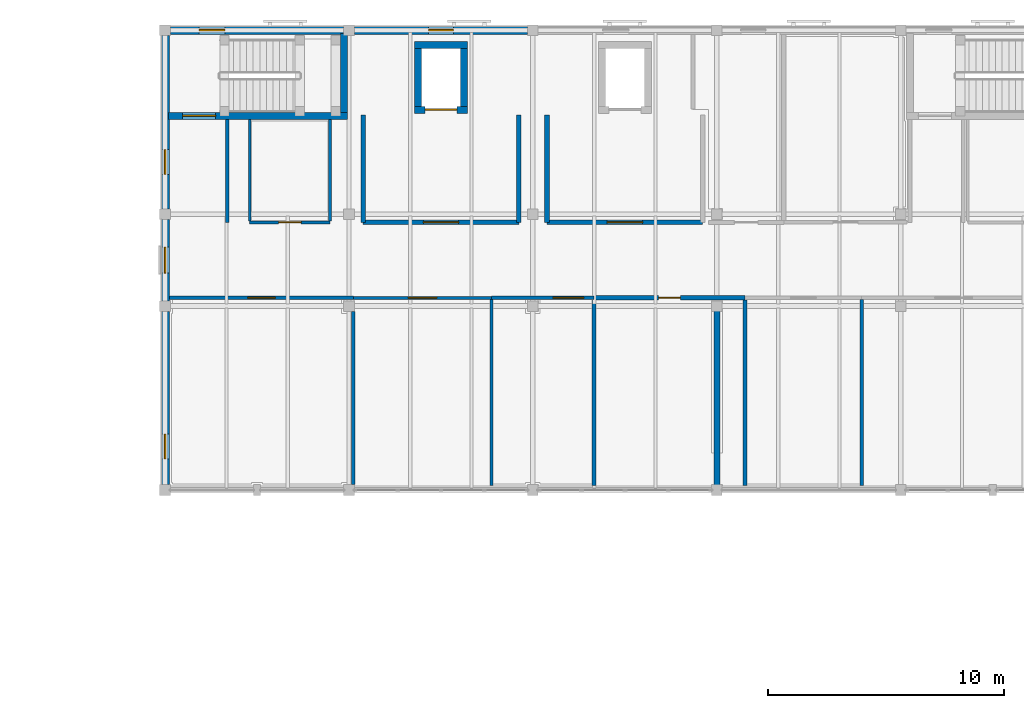
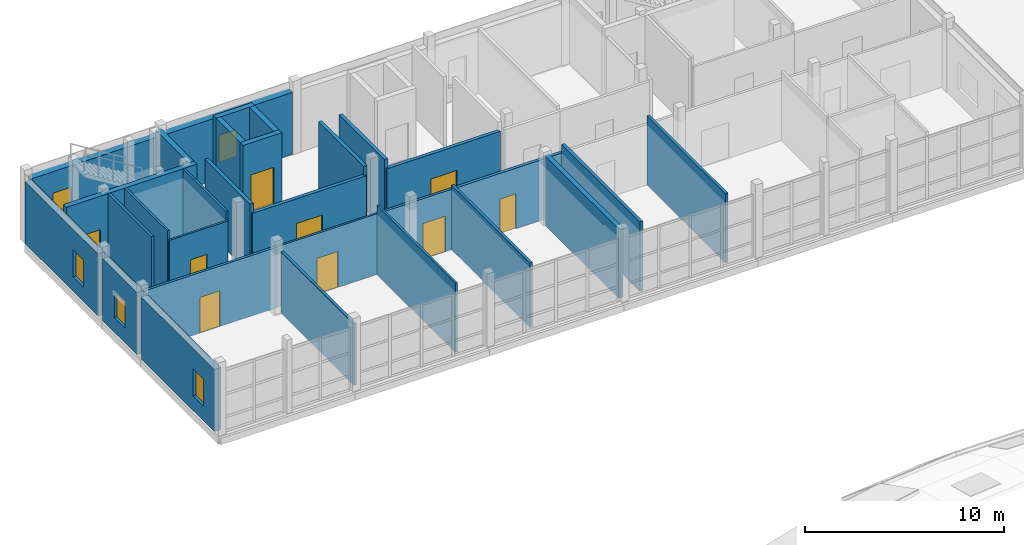
# One storey, part 37 of 45: 30 walls, 9 doors, 5 windows, 14 openings.
"""IFC4 building model written with IfcOpenShell, lengths in metres."""

from ifc_helpers import new_model, si_unit, direction, frame, frame_2d, origin, place, context, subcontext, project, spatial, rectangle, extrude, material, layer, layer_set, type_object, element, fill, save


model = new_model("IFC4")

# Units and contexts
model_context = context("Model", 3, precision=1e-05, world=origin(), true_north=direction((0.0, 1.0)))
body_context = subcontext(model_context, "Body", "Model", "MODEL_VIEW")
ifc_project = project(units=[si_unit("LENGTHUNIT", "METRE"), si_unit("AREAUNIT", "SQUARE_METRE"), si_unit("VOLUMEUNIT", "CUBIC_METRE"), si_unit("PLANEANGLEUNIT", "RADIAN"), si_unit("MASSUNIT", "GRAM", prefix="KILO")], contexts=[model_context])

# Site, building, storey
site_placement = place(None, origin())
site = spatial("IfcSite", under=ifc_project, at=site_placement, CompositionType="ELEMENT")
building_placement = place(site_placement, origin())
building = spatial("IfcBuilding", under=site, at=building_placement, Name="Celorna Specialist Clinic", CompositionType="ELEMENT")
storey_placement = place(building_placement, frame((0.0, 0.0, 18.60009765625)))
storey = spatial("IfcBuildingStorey", under=building, at=storey_placement, Name="L04", CompositionType="ELEMENT", Elevation=18.60009765625)

# Wall, opening, window
ifc_material_1 = material(Name="Terracotta masonry with insulated cavity", Category="masonry")
ifc_layer_1 = layer(ifc_material_1, 0.3798828125, Name="Terracotta masonry with insulated cavity")
ifc_layer_set_1 = layer_set([ifc_layer_1], Name="Terracotta masonry with insulated cavity")
wall_type_1 = type_object("IfcWallType", Name="WT-06", PredefinedType="STANDARD", material=ifc_layer_set_1)
wall_1_placement = place(storey_placement, frame((47.02490234375, 116.0, 0.0), z_axis=(0.0, 0.0, 1.0), x_axis=(1.0, 0.0, 0.0)))
wall_1 = element("IfcWall", 1, at=wall_1_placement, inside=storey, type_object=wall_type_1, Name="External facade wall WT-06 #274", PredefinedType="STANDARD", context=body_context, shape_type="SweptSolid", body=[
    extrude(rectangle(XDim=7.35009765625, YDim=0.3798828125, at=frame_2d((3.675048828125, 0.0))), origin(), (0.0, 0.0, 1.0), 3.81982421875),
])
opening_1_placement = place(wall_1_placement, frame((1.215087890625, 0.0, 0.89990234375)))
opening_1 = element("IfcOpeningElement", 2, at=opening_1_placement, cuts=wall_1, Name="Opening WN-03", PredefinedType="OPENING", context=body_context, shape_type="SweptSolid", body=[
    extrude(rectangle(XDim=1.10009765625, YDim=1.60009765625, at=frame_2d((0.550048828125, 0.800048828125))), frame((0.0, 0.199951171875, 0.0), z_axis=(0.0, -1.0, 0.0), x_axis=(1.0, 0.0, 0.0)), (0.0, 0.0, 1.0), 0.39990234375),
])
ifc_material_2 = material(Name="Thermally broken aluminium triple-glazed window", Category="aluminium")
window_type_1 = type_object("IfcWindowType", Name="WN-03", PartitioningType="SINGLE_PANEL", PredefinedType="WINDOW", material=ifc_material_2)
window_1_placement = place(opening_1_placement, origin())
window_1 = element("IfcWindow", 3, at=window_1_placement, inside=storey, type_object=window_type_1, Name="Facade window WN-03 #153", OverallHeight=1.60009765625, OverallWidth=1.10009765625, PartitioningType="SINGLE_PANEL", PredefinedType="WINDOW", context=body_context, shape_type="SweptSolid", body=[
    extrude(rectangle(XDim=1.10009765625, YDim=1.60009765625, at=frame_2d((0.550048828125, 0.800048828125))), frame((0.0, 0.030029296875, 0.0), z_axis=(0.0, -1.0, 0.0), x_axis=(1.0, 0.0, 0.0)), (0.0, 0.0, 1.0), 0.06005859375),
])
fill(opening_1, window_1)

wall_2_placement = place(storey_placement, frame((54.824951171875, 116.0, 0.0), z_axis=(0.0, 0.0, 1.0), x_axis=(1.0, 0.0, 0.0)))
wall_2 = element("IfcWall", 4, at=wall_2_placement, inside=storey, type_object=wall_type_1, Name="External facade wall WT-06 #275", PredefinedType="STANDARD", context=body_context, shape_type="SweptSolid", body=[
    extrude(rectangle(XDim=7.35009765625, YDim=0.3798828125, at=frame_2d((3.675048828125, 0.0))), origin(), (0.0, 0.0, 1.0), 3.81982421875),
])
opening_2_placement = place(wall_2_placement, frame((3.14990234375, 0.0, 0.89990234375)))
opening_2 = element("IfcOpeningElement", 5, at=opening_2_placement, cuts=wall_2, Name="Opening WN-21", PredefinedType="OPENING", context=body_context, shape_type="SweptSolid", body=[
    extrude(rectangle(XDim=1.050048828125, YDim=1.64990234375, at=frame_2d((0.52490234375, 0.824951171875))), frame((0.0, 0.199951171875, 0.0), z_axis=(0.0, -1.0, 0.0), x_axis=(1.0, 0.0, 0.0)), (0.0, 0.0, 1.0), 0.39990234375),
])
window_type_2 = type_object("IfcWindowType", Name="WN-21", PartitioningType="SINGLE_PANEL", PredefinedType="WINDOW", material=ifc_material_2)
window_2_placement = place(opening_2_placement, origin())
window_2 = element("IfcWindow", 6, at=window_2_placement, inside=storey, type_object=window_type_2, Name="Facade window WN-21 #154", OverallHeight=1.64990234375, OverallWidth=1.050048828125, PartitioningType="SINGLE_PANEL", PredefinedType="WINDOW", context=body_context, shape_type="SweptSolid", body=[
    extrude(rectangle(XDim=1.050048828125, YDim=1.64990234375, at=frame_2d((0.52490234375, 0.824951171875))), frame((0.0, 0.030029296875, 0.0), z_axis=(0.0, -1.0, 0.0), x_axis=(1.0, 0.0, 0.0)), (0.0, 0.0, 1.0), 0.06005859375),
])
fill(opening_2, window_2)

wall_3_placement = place(storey_placement, frame((46.800048828125, 96.72509765625, 0.0), z_axis=(0.0, 0.0, 1.0), x_axis=(0.0, 1.0, 0.0)))
wall_3 = element("IfcWall", 7, at=wall_3_placement, inside=storey, type_object=wall_type_1, Name="External facade wall WT-06 #280", PredefinedType="STANDARD", context=body_context, shape_type="SweptSolid", body=[
    extrude(rectangle(XDim=7.349853515625, YDim=0.3798828125, at=frame_2d((3.6748046875, 0.0))), origin(), (0.0, 0.0, 1.0), 3.81982421875),
])
opening_3_placement = place(wall_3_placement, frame((1.097412109375, 0.0, 0.89990234375)))
opening_3 = element("IfcOpeningElement", 8, at=opening_3_placement, cuts=wall_3, Name="Opening WN-21", PredefinedType="OPENING", context=body_context, shape_type="SweptSolid", body=[
    extrude(rectangle(XDim=1.050048828125, YDim=1.64990234375, at=frame_2d((0.52490234375, 0.824951171875))), frame((0.0, 0.199951171875, 0.0), z_axis=(0.0, -1.0, 0.0), x_axis=(1.0, 0.0, 0.0)), (0.0, 0.0, 1.0), 0.39990234375),
])
window_3_placement = place(opening_3_placement, origin())
window_3 = element("IfcWindow", 9, at=window_3_placement, inside=storey, type_object=window_type_2, Name="Facade window WN-21 #159", OverallHeight=1.64990234375, OverallWidth=1.050048828125, PartitioningType="SINGLE_PANEL", PredefinedType="WINDOW", context=body_context, shape_type="SweptSolid", body=[
    extrude(rectangle(XDim=1.050048828125, YDim=1.64990234375, at=frame_2d((0.52490234375, 0.824951171875))), frame((0.0, 0.030029296875, 0.0), z_axis=(0.0, -1.0, 0.0), x_axis=(1.0, 0.0, 0.0)), (0.0, 0.0, 1.0), 0.06005859375),
])
fill(opening_3, window_3)

wall_4_placement = place(storey_placement, frame((46.800048828125, 104.52490234375, 0.0), z_axis=(0.0, 0.0, 1.0), x_axis=(0.0, 1.0, 0.0)))
wall_4 = element("IfcWall", 10, at=wall_4_placement, inside=storey, type_object=wall_type_1, Name="External facade wall WT-06 #281", PredefinedType="STANDARD", context=body_context, shape_type="SweptSolid", body=[
    extrude(rectangle(XDim=3.4501953125, YDim=0.3798828125, at=frame_2d((1.72509765625, 0.0))), origin(), (0.0, 0.0, 1.0), 3.81982421875),
])
opening_4_placement = place(wall_4_placement, frame((1.175048828125, 0.0, 0.89990234375)))
opening_4 = element("IfcOpeningElement", 11, at=opening_4_placement, cuts=wall_4, Name="Opening WN-03", PredefinedType="OPENING", context=body_context, shape_type="SweptSolid", body=[
    extrude(rectangle(XDim=1.10009765625, YDim=1.60009765625, at=frame_2d((0.550048828125, 0.800048828125))), frame((0.0, 0.199951171875, 0.0), z_axis=(0.0, -1.0, 0.0), x_axis=(1.0, 0.0, 0.0)), (0.0, 0.0, 1.0), 0.39990234375),
])
window_4_placement = place(opening_4_placement, origin())
window_4 = element("IfcWindow", 12, at=window_4_placement, inside=storey, type_object=window_type_1, Name="Facade window WN-03 #160", OverallHeight=1.60009765625, OverallWidth=1.10009765625, PartitioningType="SINGLE_PANEL", PredefinedType="WINDOW", context=body_context, shape_type="SweptSolid", body=[
    extrude(rectangle(XDim=1.10009765625, YDim=1.60009765625, at=frame_2d((0.550048828125, 0.800048828125))), frame((0.0, 0.030029296875, 0.0), z_axis=(0.0, -1.0, 0.0), x_axis=(1.0, 0.0, 0.0)), (0.0, 0.0, 1.0), 0.06005859375),
])
fill(opening_4, window_4)

wall_5_placement = place(storey_placement, frame((46.800048828125, 108.425048828125, 0.0), z_axis=(0.0, 0.0, 1.0), x_axis=(0.0, 1.0, 0.0)))
wall_5 = element("IfcWall", 13, at=wall_5_placement, inside=storey, type_object=wall_type_1, Name="External facade wall WT-06 #282", PredefinedType="STANDARD", context=body_context, shape_type="SweptSolid", body=[
    extrude(rectangle(XDim=7.349853515625, YDim=0.3798828125, at=frame_2d((3.6748046875, 0.0))), origin(), (0.0, 0.0, 1.0), 3.81982421875),
])
opening_5_placement = place(wall_5_placement, frame((1.45751953125, 0.0, 0.89990234375)))
opening_5 = element("IfcOpeningElement", 14, at=opening_5_placement, cuts=wall_5, Name="Opening WN-21", PredefinedType="OPENING", context=body_context, shape_type="SweptSolid", body=[
    extrude(rectangle(XDim=1.050048828125, YDim=1.64990234375, at=frame_2d((0.52490234375, 0.824951171875))), frame((0.0, 0.199951171875, 0.0), z_axis=(0.0, -1.0, 0.0), x_axis=(1.0, 0.0, 0.0)), (0.0, 0.0, 1.0), 0.39990234375),
])
window_5_placement = place(opening_5_placement, origin())
window_5 = element("IfcWindow", 15, at=window_5_placement, inside=storey, type_object=window_type_2, Name="Facade window WN-21 #161", OverallHeight=1.64990234375, OverallWidth=1.050048828125, PartitioningType="SINGLE_PANEL", PredefinedType="WINDOW", context=body_context, shape_type="SweptSolid", body=[
    extrude(rectangle(XDim=1.050048828125, YDim=1.64990234375, at=frame_2d((0.52490234375, 0.824951171875))), frame((0.0, 0.030029296875, 0.0), z_axis=(0.0, -1.0, 0.0), x_axis=(1.0, 0.0, 0.0)), (0.0, 0.0, 1.0), 0.06005859375),
])
fill(opening_5, window_5)

# Wall, opening, door
ifc_material_3 = material(Name="Concrete C35/45", Category="concrete")
ifc_layer_2 = layer(ifc_material_3, 0.300048828125, Name="Concrete C35/45")
ifc_layer_set_2 = layer_set([ifc_layer_2], Name="Concrete C35/45")
wall_type_2 = type_object("IfcWallType", Name="WT-08", PredefinedType="SHEAR", material=ifc_layer_set_2)
wall_6_placement = place(storey_placement, frame((46.949951171875, 112.3701171875, 0.0), z_axis=(0.0, 0.0, 1.0), x_axis=(1.0, 0.0, 0.0)))
wall_6 = element("IfcWall", 16, at=wall_6_placement, inside=storey, type_object=wall_type_2, Name="Stair ST-01 RC core wall L04 south", PredefinedType="SHEAR", context=body_context, shape_type="SweptSolid", body=[
    extrude(rectangle(XDim=7.590087890625, YDim=0.300048828125, at=frame_2d((3.794921875, 0.0))), origin(), (0.0, 0.0, 1.0), 4.260009765625),
])
opening_6_placement = place(wall_6_placement, frame((0.590087890625, 0.0, 0.0)))
opening_6 = element("IfcOpeningElement", 17, at=opening_6_placement, cuts=wall_6, Name="Opening DR-10", PredefinedType="OPENING", context=body_context, shape_type="SweptSolid", body=[
    extrude(rectangle(XDim=1.39990234375, YDim=2.199951171875, at=frame_2d((0.699951171875, 1.10009765625))), frame((0.0, 0.159912109375, 0.0), z_axis=(0.0, -1.0, 0.0), x_axis=(1.0, 0.0, 0.0)), (0.0, 0.0, 1.0), 0.320068359375),
])
ifc_material_4 = material(Name="Protected exit stair fire door")
door_type_1 = type_object("IfcDoorType", Name="DR-10", OperationType="NOTDEFINED", PredefinedType="DOOR", material=ifc_material_4)
door_1_placement = place(opening_6_placement, origin())
door_1 = element("IfcDoor", 18, at=door_1_placement, inside=storey, type_object=door_type_1, Name="Protected exit stair door ST-01 L04", OperationType="SINGLE_SWING_LEFT", OverallHeight=2.199951171875, OverallWidth=1.39990234375, PredefinedType="DOOR", context=body_context, shape_type="SweptSolid", body=[
    extrude(rectangle(XDim=1.39990234375, YDim=2.199951171875, at=frame_2d((0.699951171875, 1.10009765625))), frame((0.0, 0.02490234375, 0.0), z_axis=(0.0, -1.0, 0.0), x_axis=(1.0, 0.0, 0.0)), (0.0, 0.0, 1.0), 0.050048828125),
])
fill(opening_6, door_1)

# Wall
wall_7_placement = place(storey_placement, frame((54.389892578125, 112.52001953125, 0.0), z_axis=(0.0, 0.0, 1.0), x_axis=(0.0, 1.0, 0.0)))
element("IfcWall", 19, at=wall_7_placement, inside=storey, type_object=wall_type_2, Name="Stair ST-01 RC core wall L04 east", PredefinedType="SHEAR", context=body_context, shape_type="SweptSolid", body=[
    extrude(rectangle(XDim=3.330078125, YDim=0.300048828125, at=frame_2d((1.6650390625, 0.0))), origin(), (0.0, 0.0, 1.0), 4.260009765625),
])

# Wall, opening, door
wall_8_placement = place(storey_placement, frame((57.375, 112.625, 0.0), z_axis=(0.0, 0.0, 1.0), x_axis=(1.0, 0.0, 0.0)))
wall_8 = element("IfcWall", 20, at=wall_8_placement, inside=storey, type_object=wall_type_2, Name="Lift LF-01 RC shaft wall L04", PredefinedType="SHEAR", context=body_context, shape_type="SweptSolid", body=[
    extrude(rectangle(XDim=2.25, YDim=0.300048828125, at=frame_2d((1.125, 0.0))), origin(), (0.0, 0.0, 1.0), 4.260009765625),
])
opening_7_placement = place(wall_8_placement, frame((0.449951171875, 0.0, 0.0)))
opening_7 = element("IfcOpeningElement", 21, at=opening_7_placement, cuts=wall_8, Name="Opening LD-02", PredefinedType="OPENING", context=body_context, shape_type="SweptSolid", body=[
    extrude(rectangle(XDim=1.35009765625, YDim=2.300048828125, at=frame_2d((0.675048828125, 1.14990234375))), frame((0.0, 0.159912109375, 0.0), z_axis=(0.0, -1.0, 0.0), x_axis=(1.0, 0.0, 0.0)), (0.0, 0.0, 1.0), 0.320068359375),
])
ifc_material_5 = material(Name="Firefighting stretcher lift landing sliding door")
door_type_2 = type_object("IfcDoorType", Name="LD-02", OperationType="DOUBLE_DOOR_SLIDING", PredefinedType="DOOR", material=ifc_material_5)
door_2_placement = place(opening_7_placement, origin())
door_2 = element("IfcDoor", 22, at=door_2_placement, inside=storey, type_object=door_type_2, Name="Lift LF-01 sliding landing door L04", OperationType="DOUBLE_DOOR_SLIDING", OverallHeight=2.300048828125, OverallWidth=1.35009765625, PredefinedType="DOOR", context=body_context, shape_type="SweptSolid", body=[
    extrude(rectangle(XDim=1.35009765625, YDim=2.300048828125, at=frame_2d((0.675048828125, 1.14990234375))), frame((0.0, 0.02490234375, 0.0), z_axis=(0.0, -1.0, 0.0), x_axis=(1.0, 0.0, 0.0)), (0.0, 0.0, 1.0), 0.050048828125),
])
fill(opening_7, door_2)

# Walls
wall_9_placement = place(storey_placement, frame((59.625, 115.375, 0.0), z_axis=(0.0, 0.0, 1.0), x_axis=(-1.0, 0.0, 0.0)))
element("IfcWall", 23, at=wall_9_placement, inside=storey, type_object=wall_type_2, Name="Lift LF-01 RC shaft wall L04", PredefinedType="SHEAR", context=body_context, shape_type="SweptSolid", body=[
    extrude(rectangle(XDim=2.25, YDim=0.300048828125, at=frame_2d((1.125, 0.0))), origin(), (0.0, 0.0, 1.0), 4.260009765625),
])
for number, where, z_axis, x_axis, name in (
    (24, (57.52490234375, 115.22509765625, 0.0), (0.0, 0.0, 1.0), (0.0, -1.0, 0.0), "Lift LF-01 RC shaft wall L04"),
    (25, (59.47509765625, 112.77490234375, 0.0), (0.0, 0.0, 1.0), (0.0, 1.0, 0.0), "Lift LF-01 RC shaft wall L04"),
):
    element("IfcWall", number, at=place(storey_placement, frame(where, z_axis=z_axis, x_axis=x_axis)), inside=storey, type_object=wall_type_2, Name=name, PredefinedType="SHEAR", context=body_context, shape_type="SweptSolid", body=[
        extrude(rectangle(XDim=2.4501953125, YDim=0.300048828125, at=frame_2d((1.22509765625, 0.0))), origin(), (0.0, 0.0, 1.0), 4.260009765625),
    ])
ifc_layer_3 = layer(ifc_material_3, 0.260009765625, Name="Concrete C35/45")
ifc_layer_set_3 = layer_set([ifc_layer_3], Name="Concrete C35/45")
wall_type_3 = type_object("IfcWallType", Name="WT-10", PredefinedType="SHEAR", material=ifc_layer_set_3)
wall_10_placement = place(storey_placement, frame((70.199951171875, 96.68994140625, 0.0), z_axis=(0.0, 0.0, 1.0), x_axis=(0.0, 1.0, 0.0)))
element("IfcWall", 26, at=wall_10_placement, inside=storey, type_object=wall_type_3, Name="Structural RC shear wall WT-10 V4 L04", PredefinedType="SHEAR", context=body_context, shape_type="SweptSolid", body=[
    extrude(rectangle(XDim=7.4599609375, YDim=0.260009765625, at=frame_2d((3.72998046875, 0.0))), origin(), (0.0, 0.0, 1.0), 4.260009765625),
])

# Wall, opening, door
ifc_layer_4 = layer(ifc_material_3, 0.199951171875, Name="Concrete C35/45")
ifc_layer_set_4 = layer_set([ifc_layer_4], Name="Concrete C35/45")
wall_type_4 = type_object("IfcWallType", Name="WT-12", PredefinedType="SOLIDWALL", material=ifc_layer_set_4)
wall_11_placement = place(storey_placement, frame((55.199951171875, 107.85009765625, 0.0), z_axis=(0.0, 0.0, 1.0), x_axis=(1.0, 0.0, 0.0)))
wall_11 = element("IfcWall", 27, at=wall_11_placement, inside=storey, type_object=wall_type_4, Name="Firefighting lobby wall LF-01 L04", PredefinedType="SOLIDWALL", context=body_context, shape_type="SweptSolid", body=[
    extrude(rectangle(XDim=6.60009765625, YDim=0.199951171875, at=frame_2d((3.300048828125, 0.0))), origin(), (0.0, 0.0, 1.0), 3.719970703125),
])
opening_8_placement = place(wall_11_placement, frame((2.550048828125, 0.0, 0.0)))
opening_8 = element("IfcOpeningElement", 28, at=opening_8_placement, cuts=wall_11, Name="Opening DR-11", PredefinedType="OPENING", context=body_context, shape_type="SweptSolid", body=[
    extrude(rectangle(XDim=1.5, YDim=2.199951171875, at=frame_2d((0.75, 1.10009765625))), frame((0.0, 0.10986328125, 0.0), z_axis=(0.0, -1.0, 0.0), x_axis=(1.0, 0.0, 0.0)), (0.0, 0.0, 1.0), 0.219970703125),
])
ifc_material_6 = material(Name="Firefighting lobby double fire door")
door_type_3 = type_object("IfcDoorType", Name="DR-11", OperationType="DOUBLE_DOOR_SINGLE_SWING", PredefinedType="DOOR", material=ifc_material_6)
door_3_placement = place(opening_8_placement, origin())
door_3 = element("IfcDoor", 29, at=door_3_placement, inside=storey, type_object=door_type_3, Name="Firefighting lobby fire door LF-01 L04", OperationType="DOUBLE_DOOR_SINGLE_SWING", OverallHeight=2.199951171875, OverallWidth=1.5, PredefinedType="DOOR", context=body_context, shape_type="SweptSolid", body=[
    extrude(rectangle(XDim=1.5, YDim=2.199951171875, at=frame_2d((0.75, 1.10009765625))), frame((0.0, 0.02490234375, 0.0), z_axis=(0.0, -1.0, 0.0), x_axis=(1.0, 0.0, 0.0)), (0.0, 0.0, 1.0), 0.050048828125),
])
fill(opening_8, door_3)

# Walls
for number, where, z_axis, x_axis, name in (
    (30, (55.199951171875, 112.39990234375, 0.0), (0.0, 0.0, 1.0), (0.0, -1.0, 0.0), "Firefighting lobby wall LF-01 L04"),
    (31, (61.800048828125, 107.85009765625, 0.0), (0.0, 0.0, 1.0), (0.0, 1.0, 0.0), "Firefighting lobby wall LF-01 L04"),
):
    element("IfcWall", number, at=place(storey_placement, frame(where, z_axis=z_axis, x_axis=x_axis)), inside=storey, type_object=wall_type_4, Name=name, PredefinedType="SOLIDWALL", context=body_context, shape_type="SweptSolid", body=[
        extrude(rectangle(XDim=4.5498046875, YDim=0.199951171875, at=frame_2d((2.27490234375, 0.0))), origin(), (0.0, 0.0, 1.0), 4.260009765625),
    ])

# Wall, opening, door
wall_12_placement = place(storey_placement, frame((63.0, 107.85009765625, 0.0), z_axis=(0.0, 0.0, 1.0), x_axis=(1.0, 0.0, 0.0)))
wall_12 = element("IfcWall", 32, at=wall_12_placement, inside=storey, type_object=wall_type_4, Name="Firefighting lobby wall LF-02 L04", PredefinedType="SOLIDWALL", context=body_context, shape_type="SweptSolid", body=[
    extrude(rectangle(XDim=6.60009765625, YDim=0.199951171875, at=frame_2d((3.300048828125, 0.0))), origin(), (0.0, 0.0, 1.0), 3.719970703125),
])
opening_9_placement = place(wall_12_placement, frame((2.550048828125, 0.0, 0.0)))
opening_9 = element("IfcOpeningElement", 33, at=opening_9_placement, cuts=wall_12, Name="Opening DR-11", PredefinedType="OPENING", context=body_context, shape_type="SweptSolid", body=[
    extrude(rectangle(XDim=1.5, YDim=2.199951171875, at=frame_2d((0.75, 1.10009765625))), frame((0.0, 0.10986328125, 0.0), z_axis=(0.0, -1.0, 0.0), x_axis=(1.0, 0.0, 0.0)), (0.0, 0.0, 1.0), 0.219970703125),
])
door_4_placement = place(opening_9_placement, origin())
door_4 = element("IfcDoor", 34, at=door_4_placement, inside=storey, type_object=door_type_3, Name="Firefighting lobby fire door LF-02 L04", OperationType="DOUBLE_DOOR_SINGLE_SWING", OverallHeight=2.199951171875, OverallWidth=1.5, PredefinedType="DOOR", context=body_context, shape_type="SweptSolid", body=[
    extrude(rectangle(XDim=1.5, YDim=2.199951171875, at=frame_2d((0.75, 1.10009765625))), frame((0.0, 0.02490234375, 0.0), z_axis=(0.0, -1.0, 0.0), x_axis=(1.0, 0.0, 0.0)), (0.0, 0.0, 1.0), 0.050048828125),
])
fill(opening_9, door_4)

# Wall
wall_13_placement = place(storey_placement, frame((63.0, 112.39990234375, 0.0), z_axis=(0.0, 0.0, 1.0), x_axis=(0.0, -1.0, 0.0)))
element("IfcWall", 35, at=wall_13_placement, inside=storey, type_object=wall_type_4, Name="Firefighting lobby wall LF-02 L04", PredefinedType="SOLIDWALL", context=body_context, shape_type="SweptSolid", body=[
    extrude(rectangle(XDim=4.5498046875, YDim=0.199951171875, at=frame_2d((2.27490234375, 0.0))), origin(), (0.0, 0.0, 1.0), 4.260009765625),
])

# Wall, opening, door
ifc_material_7 = material(Name="Acoustic masonry clinical partition", Category="masonry")
ifc_layer_5 = layer(ifc_material_7, 0.179931640625, Name="Acoustic masonry clinical partition")
ifc_layer_set_5 = layer_set([ifc_layer_5], Name="Acoustic masonry clinical partition")
wall_type_5 = type_object("IfcWallType", Name="WT-13", PredefinedType="PARTITIONING", material=ifc_layer_set_5)
wall_14_placement = place(storey_placement, frame((71.389892578125, 104.64990234375, 0.0), z_axis=(0.0, 0.0, 1.0), x_axis=(-1.0, 0.0, 0.0)))
wall_14 = element("IfcWall", 36, at=wall_14_placement, inside=storey, type_object=wall_type_5, Name="Interior partition WT-13 L04-011", PredefinedType="PARTITIONING", context=body_context, shape_type="SweptSolid", body=[
    extrude(rectangle(XDim=6.39990234375, YDim=0.179931640625, at=frame_2d((3.199951171875, 0.0))), origin(), (0.0, 0.0, 1.0), 3.719970703125),
])
opening_10_placement = place(wall_14_placement, frame((2.739990234375, 0.0, 0.0)))
opening_10 = element("IfcOpeningElement", 37, at=opening_10_placement, cuts=wall_14, Name="Opening DR-20", PredefinedType="OPENING", context=body_context, shape_type="SweptSolid", body=[
    extrude(rectangle(XDim=0.919921875, YDim=2.14990234375, at=frame_2d((0.4599609375, 1.074951171875))), frame((0.0, 0.099853515625, 0.0), z_axis=(0.0, -1.0, 0.0), x_axis=(1.0, 0.0, 0.0)), (0.0, 0.0, 1.0), 0.199951171875),
])
ifc_material_8 = material(Name="Timber clinical consultation door", Category="wood")
door_type_4 = type_object("IfcDoorType", Name="DR-20", OperationType="NOTDEFINED", PredefinedType="DOOR", material=ifc_material_8)
door_5_placement = place(opening_10_placement, origin())
door_5 = element("IfcDoor", 38, at=door_5_placement, inside=storey, type_object=door_type_4, Name="Dermatology Minor Surgery Room door L04-011", OperationType="SINGLE_SWING_LEFT", OverallHeight=2.14990234375, OverallWidth=0.919921875, PredefinedType="DOOR", context=body_context, shape_type="SweptSolid", body=[
    extrude(rectangle(XDim=0.919921875, YDim=2.14990234375, at=frame_2d((0.4599609375, 1.074951171875))), frame((0.0, 0.02490234375, 0.0), z_axis=(0.0, -1.0, 0.0), x_axis=(1.0, 0.0, 0.0)), (0.0, 0.0, 1.0), 0.050048828125),
])
fill(opening_10, door_5)

# Walls
wall_15_placement = place(storey_placement, frame((71.389892578125, 96.68994140625, 0.0), z_axis=(0.0, 0.0, 1.0), x_axis=(0.0, 1.0, 0.0)))
element("IfcWall", 39, at=wall_15_placement, inside=storey, type_object=wall_type_5, Name="Room dividing partition WT-13 L04-011", PredefinedType="PARTITIONING", context=body_context, shape_type="SweptSolid", body=[
    extrude(rectangle(XDim=7.8701171875, YDim=0.179931640625, at=frame_2d((3.93505859375, 0.0))), origin(), (0.0, 0.0, 1.0), 4.260009765625),
])
ifc_material_9 = material(Name="Fire-rated gypsum board partition")
ifc_layer_6 = layer(ifc_material_9, 0.14990234375, Name="Fire-rated gypsum board partition")
ifc_layer_set_6 = layer_set([ifc_layer_6], Name="Fire-rated gypsum board partition")
wall_type_6 = type_object("IfcWallType", Name="WT-14", PredefinedType="PARTITIONING", material=ifc_layer_set_6)
wall_16_placement = place(storey_placement, frame((49.43994140625, 107.85009765625, 0.0), z_axis=(0.0, 0.0, 1.0), x_axis=(0.0, 1.0, 0.0)))
element("IfcWall", 40, at=wall_16_placement, inside=storey, type_object=wall_type_6, Name="Corridor spur partition WT-14", PredefinedType="PARTITIONING", context=body_context, shape_type="SweptSolid", body=[
    extrude(rectangle(XDim=4.369873046875, YDim=0.14990234375, at=frame_2d((2.18505859375, 0.0))), origin(), (0.0, 0.0, 1.0), 4.260009765625),
])

# Wall, opening, door
wall_17_placement = place(storey_placement, frame((54.7900390625, 104.64990234375, 0.0), z_axis=(0.0, 0.0, 1.0), x_axis=(-1.0, 0.0, 0.0)))
wall_17 = element("IfcWall", 41, at=wall_17_placement, inside=storey, type_object=wall_type_6, Name="Interior partition WT-14 L04-008", PredefinedType="PARTITIONING", context=body_context, shape_type="SweptSolid", body=[
    extrude(rectangle(XDim=7.800048828125, YDim=0.14990234375, at=frame_2d((3.89990234375, 0.0))), origin(), (0.0, 0.0, 1.0), 3.719970703125),
])
opening_11_placement = place(wall_17_placement, frame((3.324951171875, 0.0, 0.0)))
opening_11 = element("IfcOpeningElement", 42, at=opening_11_placement, cuts=wall_17, Name="Opening DR-07", PredefinedType="OPENING", context=body_context, shape_type="SweptSolid", body=[
    extrude(rectangle(XDim=1.14990234375, YDim=2.199951171875, at=frame_2d((0.574951171875, 1.10009765625))), frame((0.0, 0.0849609375, 0.0), z_axis=(0.0, -1.0, 0.0), x_axis=(1.0, 0.0, 0.0)), (0.0, 0.0, 1.0), 0.169921875),
])
ifc_material_10 = material(Name="Hermetic cleanroom airlock door")
door_type_5 = type_object("IfcDoorType", Name="DR-07", OperationType="NOTDEFINED", PredefinedType="DOOR", material=ifc_material_10)
door_6_placement = place(opening_11_placement, origin())
door_6 = element("IfcDoor", 43, at=door_6_placement, inside=storey, type_object=door_type_5, Name="Ophthalmology Laser Treatment Room door L04-008", OperationType="SINGLE_SWING_RIGHT", OverallHeight=2.199951171875, OverallWidth=1.14990234375, PredefinedType="DOOR", context=body_context, shape_type="SweptSolid", body=[
    extrude(rectangle(XDim=1.14990234375, YDim=2.199951171875, at=frame_2d((0.574951171875, 1.10009765625))), frame((0.0, 0.02490234375, 0.0), z_axis=(0.0, -1.0, 0.0), x_axis=(1.0, 0.0, 0.0)), (0.0, 0.0, 1.0), 0.050048828125),
])
fill(opening_11, door_6)

wall_18_placement = place(storey_placement, frame((64.989990234375, 104.64990234375, 0.0), z_axis=(0.0, 0.0, 1.0), x_axis=(-1.0, 0.0, 0.0)))
wall_18 = element("IfcWall", 44, at=wall_18_placement, inside=storey, type_object=wall_type_6, Name="Interior partition WT-14 L04-010", PredefinedType="PARTITIONING", context=body_context, shape_type="SweptSolid", body=[
    extrude(rectangle(XDim=4.35009765625, YDim=0.14990234375, at=frame_2d((2.175048828125, 0.0))), origin(), (0.0, 0.0, 1.0), 3.719970703125),
])
opening_12_placement = place(wall_18_placement, frame((0.4375, 0.0, 0.0)))
opening_12 = element("IfcOpeningElement", 45, at=opening_12_placement, cuts=wall_18, Name="Opening DR-09", PredefinedType="OPENING", context=body_context, shape_type="SweptSolid", body=[
    extrude(rectangle(XDim=1.300048828125, YDim=2.199951171875, at=frame_2d((0.64990234375, 1.10009765625))), frame((0.0, 0.0849609375, 0.0), z_axis=(0.0, -1.0, 0.0), x_axis=(1.0, 0.0, 0.0)), (0.0, 0.0, 1.0), 0.169921875),
])
ifc_material_11 = material(Name="Lead-lined radiology room door")
door_type_6 = type_object("IfcDoorType", Name="DR-09", OperationType="NOTDEFINED", PredefinedType="DOOR", material=ifc_material_11)
door_7_placement = place(opening_12_placement, origin())
door_7 = element("IfcDoor", 46, at=door_7_placement, inside=storey, type_object=door_type_6, Name="Dermatology Phototherapy Suite door L04-010", OperationType="SINGLE_SWING_RIGHT", OverallHeight=2.199951171875, OverallWidth=1.300048828125, PredefinedType="DOOR", context=body_context, shape_type="SweptSolid", body=[
    extrude(rectangle(XDim=1.300048828125, YDim=2.199951171875, at=frame_2d((0.64990234375, 1.10009765625))), frame((0.0, 0.02490234375, 0.0), z_axis=(0.0, -1.0, 0.0), x_axis=(1.0, 0.0, 0.0)), (0.0, 0.0, 1.0), 0.050048828125),
])
fill(opening_12, door_7)

# Walls
wall_19_placement = place(storey_placement, frame((54.7900390625, 96.72509765625, 0.0), z_axis=(0.0, 0.0, 1.0), x_axis=(0.0, 1.0, 0.0)))
element("IfcWall", 47, at=wall_19_placement, inside=storey, type_object=wall_type_6, Name="Room dividing partition WT-14 L04-008", PredefinedType="PARTITIONING", context=body_context, shape_type="SweptSolid", body=[
    extrude(rectangle(XDim=7.349853515625, YDim=0.14990234375, at=frame_2d((3.6748046875, 0.0))), origin(), (0.0, 0.0, 1.0), 3.77001953125),
])
wall_20_placement = place(storey_placement, frame((64.989990234375, 96.68994140625, 0.0), z_axis=(0.0, 0.0, 1.0), x_axis=(0.0, 1.0, 0.0)))
element("IfcWall", 48, at=wall_20_placement, inside=storey, type_object=wall_type_6, Name="Room dividing partition WT-14 L04-010", PredefinedType="PARTITIONING", context=body_context, shape_type="SweptSolid", body=[
    extrude(rectangle(XDim=7.8701171875, YDim=0.14990234375, at=frame_2d((3.93505859375, 0.0))), origin(), (0.0, 0.0, 1.0), 3.97998046875),
])
wall_21_placement = place(storey_placement, frame((76.340087890625, 96.68994140625, 0.0), z_axis=(0.0, 0.0, 1.0), x_axis=(0.0, 1.0, 0.0)))
element("IfcWall", 49, at=wall_21_placement, inside=storey, type_object=wall_type_6, Name="Room dividing partition WT-14 L04-012", PredefinedType="PARTITIONING", context=body_context, shape_type="SweptSolid", body=[
    extrude(rectangle(XDim=7.885009765625, YDim=0.14990234375, at=frame_2d((3.9423828125, 0.0))), origin(), (0.0, 0.0, 1.0), 4.260009765625),
])

# Wall, opening, door
ifc_material_12 = material(Name="Acoustic gypsum board partition")
ifc_layer_7 = layer(ifc_material_12, 0.1201171875, Name="Acoustic gypsum board partition")
ifc_layer_set_7 = layer_set([ifc_layer_7], Name="Acoustic gypsum board partition")
wall_type_7 = type_object("IfcWallType", Name="WT-15", PredefinedType="PARTITIONING", material=ifc_layer_set_7)
wall_22_placement = place(storey_placement, frame((60.639892578125, 104.64990234375, 0.0), z_axis=(0.0, 0.0, 1.0), x_axis=(-1.0, 0.0, 0.0)))
wall_22 = element("IfcWall", 50, at=wall_22_placement, inside=storey, type_object=wall_type_7, Name="Interior partition WT-15 L04-009", PredefinedType="PARTITIONING", context=body_context, shape_type="SweptSolid", body=[
    extrude(rectangle(XDim=5.849853515625, YDim=0.1201171875, at=frame_2d((2.9248046875, 0.0))), origin(), (0.0, 0.0, 1.0), 3.719970703125),
])
opening_13_placement = place(wall_22_placement, frame((2.324951171875, 0.0, 0.0)))
opening_13 = element("IfcOpeningElement", 51, at=opening_13_placement, cuts=wall_22, Name="Opening DR-08", PredefinedType="OPENING", context=body_context, shape_type="SweptSolid", body=[
    extrude(rectangle(XDim=1.199951171875, YDim=2.199951171875, at=frame_2d((0.60009765625, 1.10009765625))), frame((0.0, 0.070068359375, 0.0), z_axis=(0.0, -1.0, 0.0), x_axis=(1.0, 0.0, 0.0)), (0.0, 0.0, 1.0), 0.14013671875),
])
ifc_material_13 = material(Name="Stretcher-width clinical door")
door_type_7 = type_object("IfcDoorType", Name="DR-08", OperationType="NOTDEFINED", PredefinedType="DOOR", material=ifc_material_13)
door_8_placement = place(opening_13_placement, origin())
door_8 = element("IfcDoor", 52, at=door_8_placement, inside=storey, type_object=door_type_7, Name="Retinal Tomography Diagnostic Room door L04-009", OperationType="SINGLE_SWING_LEFT", OverallHeight=2.199951171875, OverallWidth=1.199951171875, PredefinedType="DOOR", context=body_context, shape_type="SweptSolid", body=[
    extrude(rectangle(XDim=1.199951171875, YDim=2.199951171875, at=frame_2d((0.60009765625, 1.10009765625))), frame((0.0, 0.02490234375, 0.0), z_axis=(0.0, -1.0, 0.0), x_axis=(1.0, 0.0, 0.0)), (0.0, 0.0, 1.0), 0.050048828125),
])
fill(opening_13, door_8)

wall_23_placement = place(storey_placement, frame((50.389892578125, 107.85009765625, 0.0), z_axis=(0.0, 0.0, 1.0), x_axis=(1.0, 0.0, 0.0)))
wall_23 = element("IfcWall", 53, at=wall_23_placement, inside=storey, type_object=wall_type_7, Name="Interior partition WT-15 L04-016", PredefinedType="PARTITIONING", context=body_context, shape_type="SweptSolid", body=[
    extrude(rectangle(XDim=3.400146484375, YDim=0.1201171875, at=frame_2d((1.7001953125, 0.0))), origin(), (0.0, 0.0, 1.0), 3.719970703125),
])
opening_14_placement = place(wall_23_placement, frame((1.22509765625, 0.0, 0.0)))
opening_14 = element("IfcOpeningElement", 54, at=opening_14_placement, cuts=wall_23, Name="Opening DR-03", PredefinedType="OPENING", context=body_context, shape_type="SweptSolid", body=[
    extrude(rectangle(XDim=0.949951171875, YDim=2.10009765625, at=frame_2d((0.47509765625, 1.050048828125))), frame((0.0, 0.070068359375, 0.0), z_axis=(0.0, -1.0, 0.0), x_axis=(1.0, 0.0, 0.0)), (0.0, 0.0, 1.0), 0.14013671875),
])
ifc_material_14 = material(Name="Moisture-resistant accessible WC door")
door_type_8 = type_object("IfcDoorType", Name="DR-03", OperationType="NOTDEFINED", PredefinedType="DOOR", material=ifc_material_14)
door_9_placement = place(opening_14_placement, origin())
door_9 = element("IfcDoor", 55, at=door_9_placement, inside=storey, type_object=door_type_8, Name="Public Male WC door L04-016", OperationType="SINGLE_SWING_RIGHT", OverallHeight=2.10009765625, OverallWidth=0.949951171875, PredefinedType="DOOR", context=body_context, shape_type="SweptSolid", body=[
    extrude(rectangle(XDim=0.949951171875, YDim=2.10009765625, at=frame_2d((0.47509765625, 1.050048828125))), frame((0.0, 0.02490234375, 0.0), z_axis=(0.0, -1.0, 0.0), x_axis=(1.0, 0.0, 0.0)), (0.0, 0.0, 1.0), 0.050048828125),
])
fill(opening_14, door_9)

# Walls
wall_24_placement = place(storey_placement, frame((60.639892578125, 96.68994140625, 0.0), z_axis=(0.0, 0.0, 1.0), x_axis=(0.0, 1.0, 0.0)))
element("IfcWall", 56, at=wall_24_placement, inside=storey, type_object=wall_type_7, Name="Room dividing partition WT-15 L04-009", PredefinedType="PARTITIONING", context=body_context, shape_type="SweptSolid", body=[
    extrude(rectangle(XDim=7.885009765625, YDim=0.1201171875, at=frame_2d((3.9423828125, 0.0))), origin(), (0.0, 0.0, 1.0), 4.260009765625),
])
for number, where, z_axis, x_axis, name in (
    (57, (50.389892578125, 107.909912109375, 0.0), (0.0, 0.0, 1.0), (0.0, 1.0, 0.0), "Room dividing partition WT-15 L04-016"),
    (58, (53.7900390625, 107.909912109375, 0.0), (0.0, 0.0, 1.0), (0.0, 1.0, 0.0), "Room dividing partition WT-15 L04-016"),
):
    element("IfcWall", number, at=place(storey_placement, frame(where, z_axis=z_axis, x_axis=x_axis)), inside=storey, type_object=wall_type_7, Name=name, PredefinedType="PARTITIONING", context=body_context, shape_type="SweptSolid", body=[
        extrude(rectangle(XDim=4.31005859375, YDim=0.1201171875, at=frame_2d((2.155029296875, 0.0))), origin(), (0.0, 0.0, 1.0), 4.260009765625),
    ])

save(model, "model.ifc")
